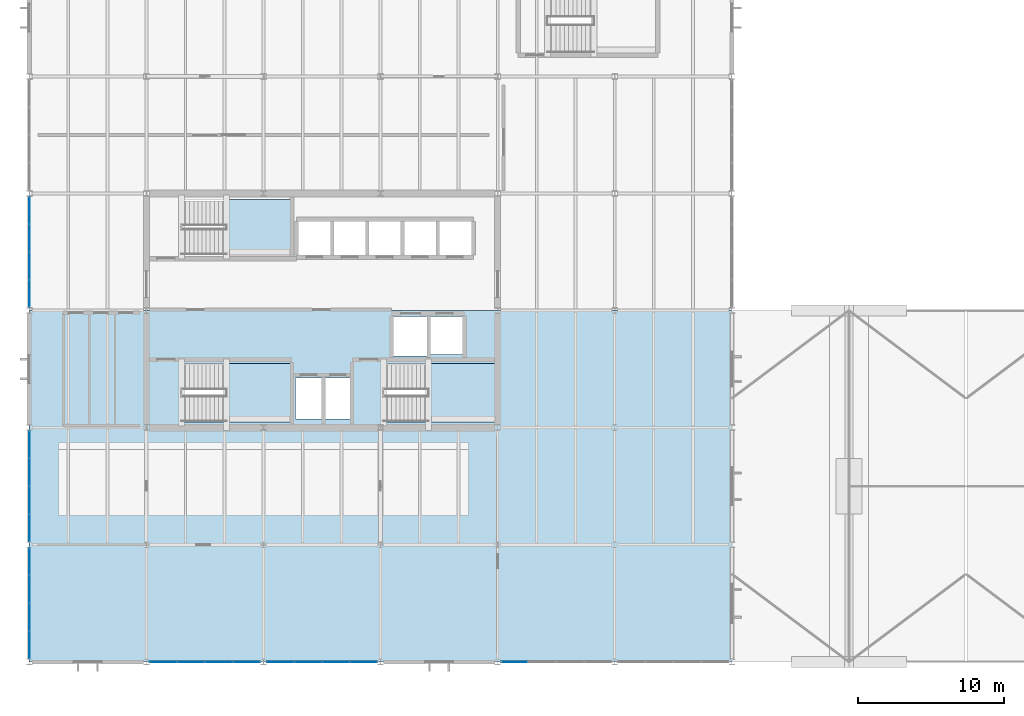
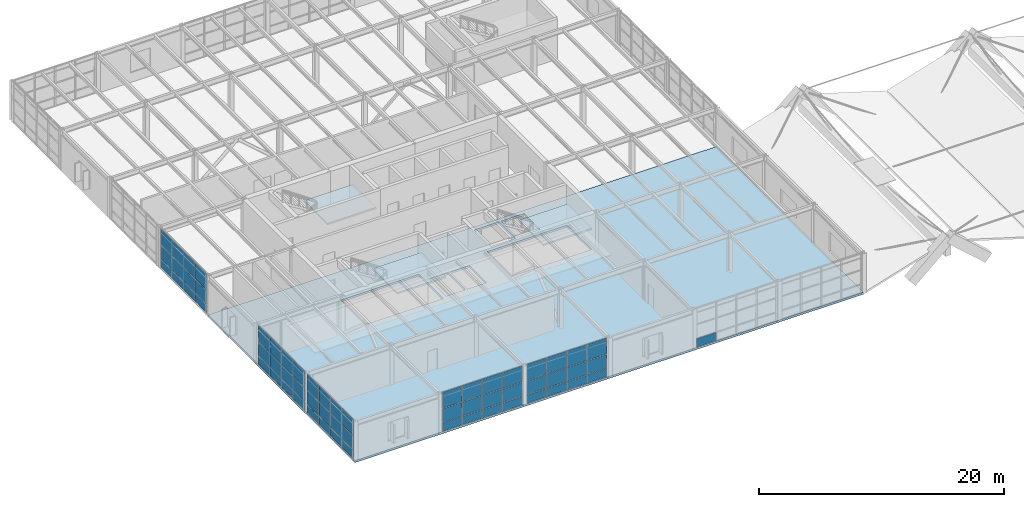
# One storey, part 31 of 50: 61 plates, 4 slabs, 9 elements without a shape of their own.
"""IFC4 building model written with IfcOpenShell, lengths in metres."""

from ifc_helpers import new_model, si_unit, direction, frame, origin, origin_2d, place, context, subcontext, project, spatial, polyline, rectangle, outline, extrude, material, layer, layer_set, type_object, element, aggregate, save


model = new_model("IFC4")

# Units and contexts
model_context = context("Model", 3, precision=1e-05, world=origin(), true_north=direction((0.0, 1.0)))
body_context = subcontext(model_context, "Body", "Model", "MODEL_VIEW")
ifc_project = project(units=[si_unit("LENGTHUNIT", "METRE"), si_unit("AREAUNIT", "SQUARE_METRE"), si_unit("VOLUMEUNIT", "CUBIC_METRE"), si_unit("PLANEANGLEUNIT", "RADIAN"), si_unit("MASSUNIT", "GRAM", prefix="KILO")], contexts=[model_context])

# Site, building, storey
site_placement = place(None, origin())
site = spatial("IfcSite", under=ifc_project, at=site_placement, CompositionType="ELEMENT")
building_placement = place(site_placement, origin())
building = spatial("IfcBuilding", under=site, at=building_placement, Name="Varnela Railside Interchange", CompositionType="ELEMENT")
storey_placement = place(building_placement, frame((0.0, 0.0, 15.39990234375)))
storey = spatial("IfcBuildingStorey", under=building, at=storey_placement, Name="L03", CompositionType="ELEMENT", Elevation=15.39990234375)

# Curtain wall, plate
ifc_material_1 = material(Name="Aluminium 6063-T6", Category="aluminium")
ifc_layer_1 = layer(ifc_material_1, 0.035888671875)
ifc_layer_set_1 = layer_set([ifc_layer_1], Name="Aluminium 6063-T6")
curtain_wall_type = type_object("IfcCurtainWallType", Name="Operations Wing Facade Curtain Wall CW-03", PredefinedType="USERDEFINED", material=ifc_layer_set_1)
curtain_wall_1_placement = place(storey_placement, origin())
curtain_wall_1 = element("IfcCurtainWall", 1, at=curtain_wall_1_placement, inside=storey, type_object=curtain_wall_type, Name="Curtain Wall CW-03 (L03) (CW-084)", ObjectType="CURTAIN WALL", PredefinedType="USERDEFINED")
ifc_material_2 = material(Name="Glass laminated double", Category="glass")
ifc_layer_2 = layer(ifc_material_2, 0.0400390625)
ifc_layer_set_2 = layer_set([ifc_layer_2], Name="Glass laminated double")
plate_type = type_object("IfcPlateType", Name="Acoustic Laminated Vision GL-03", PredefinedType="CURTAIN_PANEL", material=ifc_layer_set_2)
plate_1_placement = place(storey_placement, frame((37.15478515625, 38.0, 0.06005859375), z_axis=(0.0, 0.0, 1.0), x_axis=(-1.0, 0.0, 0.0)))
plate_1 = element("IfcPlate", 2, at=plate_1_placement, type_object=plate_type, Name="CW-03 panel 4.1", PredefinedType="CURTAIN_PANEL", context=body_context, shape_type="SweptSolid", body=[
    extrude(rectangle(XDim=1.816650390625, YDim=0.0400390625, at=origin_2d()), origin(), (0.0, 0.0, 1.0), 0.81005859375),
])
aggregate(curtain_wall_1, [plate_1])

# Curtain wall, plates
curtain_wall_2_placement = place(storey_placement, origin())
curtain_wall_2 = element("IfcCurtainWall", 3, at=curtain_wall_2_placement, inside=storey, type_object=curtain_wall_type, Name="Curtain Wall CW-03 (L03) (CW-094)", ObjectType="CURTAIN WALL", PredefinedType="USERDEFINED")
plate_2_placement = place(storey_placement, frame((26.84521484375, 38.0, 0.06005859375), z_axis=(0.0, 0.0, 1.0), x_axis=(-1.0, 0.0, 0.0)))
plate_2 = element("IfcPlate", 4, at=plate_2_placement, type_object=plate_type, Name="CW-03 panel 1.1", PredefinedType="CURTAIN_PANEL", context=body_context, shape_type="SweptSolid", body=[
    extrude(rectangle(XDim=1.816650390625, YDim=0.0400390625, at=origin_2d()), origin(), (0.0, 0.0, 1.0), 0.81005859375),
])
plate_3_placement = place(storey_placement, frame((26.84521484375, 38.0, 0.93017578125), z_axis=(0.0, 0.0, 1.0), x_axis=(-1.0, 0.0, 0.0)))
plate_3 = element("IfcPlate", 5, at=plate_3_placement, type_object=plate_type, Name="CW-03 panel 1.2", PredefinedType="CURTAIN_PANEL", context=body_context, shape_type="SweptSolid", body=[
    extrude(rectangle(XDim=1.816650390625, YDim=0.0400390625, at=origin_2d()), origin(), (0.0, 0.0, 1.0), 1.360107421875),
])
plate_4_placement = place(storey_placement, frame((26.84521484375, 38.0, 2.35009765625), z_axis=(0.0, 0.0, 1.0), x_axis=(-1.0, 0.0, 0.0)))
plate_4 = element("IfcPlate", 6, at=plate_4_placement, type_object=plate_type, Name="CW-03 panel 1.3", PredefinedType="CURTAIN_PANEL", context=body_context, shape_type="SweptSolid", body=[
    extrude(rectangle(XDim=1.816650390625, YDim=0.0400390625, at=origin_2d()), origin(), (0.0, 0.0, 1.0), 1.590087890625),
])
plate_5_placement = place(storey_placement, frame((24.953369140625, 38.0, 0.06005859375), z_axis=(0.0, 0.0, 1.0), x_axis=(-1.0, 0.0, 0.0)))
plate_5 = element("IfcPlate", 7, at=plate_5_placement, type_object=plate_type, Name="CW-03 panel 2.1", PredefinedType="CURTAIN_PANEL", context=body_context, shape_type="SweptSolid", body=[
    extrude(rectangle(XDim=1.8466796875, YDim=0.0400390625, at=origin_2d()), origin(), (0.0, 0.0, 1.0), 0.81005859375),
])
plate_6_placement = place(storey_placement, frame((24.953369140625, 38.0, 0.93017578125), z_axis=(0.0, 0.0, 1.0), x_axis=(-1.0, 0.0, 0.0)))
plate_6 = element("IfcPlate", 8, at=plate_6_placement, type_object=plate_type, Name="CW-03 panel 2.2", PredefinedType="CURTAIN_PANEL", context=body_context, shape_type="SweptSolid", body=[
    extrude(rectangle(XDim=1.8466796875, YDim=0.0400390625, at=origin_2d()), origin(), (0.0, 0.0, 1.0), 1.360107421875),
])
plate_7_placement = place(storey_placement, frame((24.953369140625, 38.0, 2.35009765625), z_axis=(0.0, 0.0, 1.0), x_axis=(-1.0, 0.0, 0.0)))
plate_7 = element("IfcPlate", 9, at=plate_7_placement, type_object=plate_type, Name="CW-03 panel 2.3", PredefinedType="CURTAIN_PANEL", context=body_context, shape_type="SweptSolid", body=[
    extrude(rectangle(XDim=1.8466796875, YDim=0.0400390625, at=origin_2d()), origin(), (0.0, 0.0, 1.0), 1.590087890625),
])
plate_8_placement = place(storey_placement, frame((23.046630859375, 38.0, 0.06005859375), z_axis=(0.0, 0.0, 1.0), x_axis=(-1.0, 0.0, 0.0)))
plate_8 = element("IfcPlate", 10, at=plate_8_placement, type_object=plate_type, Name="CW-03 panel 3.1", PredefinedType="CURTAIN_PANEL", context=body_context, shape_type="SweptSolid", body=[
    extrude(rectangle(XDim=1.8466796875, YDim=0.0400390625, at=origin_2d()), origin(), (0.0, 0.0, 1.0), 0.81005859375),
])
plate_9_placement = place(storey_placement, frame((23.046630859375, 38.0, 0.93017578125), z_axis=(0.0, 0.0, 1.0), x_axis=(-1.0, 0.0, 0.0)))
plate_9 = element("IfcPlate", 11, at=plate_9_placement, type_object=plate_type, Name="CW-03 panel 3.2", PredefinedType="CURTAIN_PANEL", context=body_context, shape_type="SweptSolid", body=[
    extrude(rectangle(XDim=1.8466796875, YDim=0.0400390625, at=origin_2d()), origin(), (0.0, 0.0, 1.0), 1.360107421875),
])
plate_10_placement = place(storey_placement, frame((23.046630859375, 38.0, 2.35009765625), z_axis=(0.0, 0.0, 1.0), x_axis=(-1.0, 0.0, 0.0)))
plate_10 = element("IfcPlate", 12, at=plate_10_placement, type_object=plate_type, Name="CW-03 panel 3.3", PredefinedType="CURTAIN_PANEL", context=body_context, shape_type="SweptSolid", body=[
    extrude(rectangle(XDim=1.8466796875, YDim=0.0400390625, at=origin_2d()), origin(), (0.0, 0.0, 1.0), 1.590087890625),
])
plate_11_placement = place(storey_placement, frame((21.15478515625, 38.0, 0.06005859375), z_axis=(0.0, 0.0, 1.0), x_axis=(-1.0, 0.0, 0.0)))
plate_11 = element("IfcPlate", 13, at=plate_11_placement, type_object=plate_type, Name="CW-03 panel 4.1", PredefinedType="CURTAIN_PANEL", context=body_context, shape_type="SweptSolid", body=[
    extrude(rectangle(XDim=1.816650390625, YDim=0.0400390625, at=origin_2d()), origin(), (0.0, 0.0, 1.0), 0.81005859375),
])
plate_12_placement = place(storey_placement, frame((21.15478515625, 38.0, 0.93017578125), z_axis=(0.0, 0.0, 1.0), x_axis=(-1.0, 0.0, 0.0)))
plate_12 = element("IfcPlate", 14, at=plate_12_placement, type_object=plate_type, Name="CW-03 panel 4.2", PredefinedType="CURTAIN_PANEL", context=body_context, shape_type="SweptSolid", body=[
    extrude(rectangle(XDim=1.816650390625, YDim=0.0400390625, at=origin_2d()), origin(), (0.0, 0.0, 1.0), 1.360107421875),
])
plate_13_placement = place(storey_placement, frame((21.15478515625, 38.0, 2.35009765625), z_axis=(0.0, 0.0, 1.0), x_axis=(-1.0, 0.0, 0.0)))
plate_13 = element("IfcPlate", 15, at=plate_13_placement, type_object=plate_type, Name="CW-03 panel 4.3", PredefinedType="CURTAIN_PANEL", context=body_context, shape_type="SweptSolid", body=[
    extrude(rectangle(XDim=1.816650390625, YDim=0.0400390625, at=origin_2d()), origin(), (0.0, 0.0, 1.0), 1.590087890625),
])
aggregate(curtain_wall_2, [plate_2, plate_3, plate_4, plate_5, plate_6, plate_7, plate_8, plate_9, plate_10, plate_11, plate_12, plate_13])

curtain_wall_3_placement = place(storey_placement, origin())
curtain_wall_3 = element("IfcCurtainWall", 16, at=curtain_wall_3_placement, inside=storey, type_object=curtain_wall_type, Name="Curtain Wall CW-03 (L03) (CW-099)", ObjectType="CURTAIN WALL", PredefinedType="USERDEFINED")
plate_14_placement = place(storey_placement, frame((18.84521484375, 38.0, 0.06005859375), z_axis=(0.0, 0.0, 1.0), x_axis=(-1.0, 0.0, 0.0)))
plate_14 = element("IfcPlate", 17, at=plate_14_placement, type_object=plate_type, Name="CW-03 panel 1.1", PredefinedType="CURTAIN_PANEL", context=body_context, shape_type="SweptSolid", body=[
    extrude(rectangle(XDim=1.816650390625, YDim=0.0400390625, at=origin_2d()), origin(), (0.0, 0.0, 1.0), 0.81005859375),
])
plate_15_placement = place(storey_placement, frame((18.84521484375, 38.0, 0.93017578125), z_axis=(0.0, 0.0, 1.0), x_axis=(-1.0, 0.0, 0.0)))
plate_15 = element("IfcPlate", 18, at=plate_15_placement, type_object=plate_type, Name="CW-03 panel 1.2", PredefinedType="CURTAIN_PANEL", context=body_context, shape_type="SweptSolid", body=[
    extrude(rectangle(XDim=1.816650390625, YDim=0.0400390625, at=origin_2d()), origin(), (0.0, 0.0, 1.0), 1.360107421875),
])
plate_16_placement = place(storey_placement, frame((18.84521484375, 38.0, 2.35009765625), z_axis=(0.0, 0.0, 1.0), x_axis=(-1.0, 0.0, 0.0)))
plate_16 = element("IfcPlate", 19, at=plate_16_placement, type_object=plate_type, Name="CW-03 panel 1.3", PredefinedType="CURTAIN_PANEL", context=body_context, shape_type="SweptSolid", body=[
    extrude(rectangle(XDim=1.816650390625, YDim=0.0400390625, at=origin_2d()), origin(), (0.0, 0.0, 1.0), 1.590087890625),
])
plate_17_placement = place(storey_placement, frame((16.953369140625, 38.0, 0.06005859375), z_axis=(0.0, 0.0, 1.0), x_axis=(-1.0, 0.0, 0.0)))
plate_17 = element("IfcPlate", 20, at=plate_17_placement, type_object=plate_type, Name="CW-03 panel 2.1", PredefinedType="CURTAIN_PANEL", context=body_context, shape_type="SweptSolid", body=[
    extrude(rectangle(XDim=1.8466796875, YDim=0.0400390625, at=origin_2d()), origin(), (0.0, 0.0, 1.0), 0.81005859375),
])
plate_18_placement = place(storey_placement, frame((16.953369140625, 38.0, 0.93017578125), z_axis=(0.0, 0.0, 1.0), x_axis=(-1.0, 0.0, 0.0)))
plate_18 = element("IfcPlate", 21, at=plate_18_placement, type_object=plate_type, Name="CW-03 panel 2.2", PredefinedType="CURTAIN_PANEL", context=body_context, shape_type="SweptSolid", body=[
    extrude(rectangle(XDim=1.8466796875, YDim=0.0400390625, at=origin_2d()), origin(), (0.0, 0.0, 1.0), 1.360107421875),
])
plate_19_placement = place(storey_placement, frame((16.953369140625, 38.0, 2.35009765625), z_axis=(0.0, 0.0, 1.0), x_axis=(-1.0, 0.0, 0.0)))
plate_19 = element("IfcPlate", 22, at=plate_19_placement, type_object=plate_type, Name="CW-03 panel 2.3", PredefinedType="CURTAIN_PANEL", context=body_context, shape_type="SweptSolid", body=[
    extrude(rectangle(XDim=1.8466796875, YDim=0.0400390625, at=origin_2d()), origin(), (0.0, 0.0, 1.0), 1.590087890625),
])
plate_20_placement = place(storey_placement, frame((15.046630859375, 38.0, 0.06005859375), z_axis=(0.0, 0.0, 1.0), x_axis=(-1.0, 0.0, 0.0)))
plate_20 = element("IfcPlate", 23, at=plate_20_placement, type_object=plate_type, Name="CW-03 panel 3.1", PredefinedType="CURTAIN_PANEL", context=body_context, shape_type="SweptSolid", body=[
    extrude(rectangle(XDim=1.8466796875, YDim=0.0400390625, at=origin_2d()), origin(), (0.0, 0.0, 1.0), 0.81005859375),
])
plate_21_placement = place(storey_placement, frame((15.046630859375, 38.0, 0.93017578125), z_axis=(0.0, 0.0, 1.0), x_axis=(-1.0, 0.0, 0.0)))
plate_21 = element("IfcPlate", 24, at=plate_21_placement, type_object=plate_type, Name="CW-03 panel 3.2", PredefinedType="CURTAIN_PANEL", context=body_context, shape_type="SweptSolid", body=[
    extrude(rectangle(XDim=1.8466796875, YDim=0.0400390625, at=origin_2d()), origin(), (0.0, 0.0, 1.0), 1.360107421875),
])
plate_22_placement = place(storey_placement, frame((15.046630859375, 38.0, 2.35009765625), z_axis=(0.0, 0.0, 1.0), x_axis=(-1.0, 0.0, 0.0)))
plate_22 = element("IfcPlate", 25, at=plate_22_placement, type_object=plate_type, Name="CW-03 panel 3.3", PredefinedType="CURTAIN_PANEL", context=body_context, shape_type="SweptSolid", body=[
    extrude(rectangle(XDim=1.8466796875, YDim=0.0400390625, at=origin_2d()), origin(), (0.0, 0.0, 1.0), 1.590087890625),
])
plate_23_placement = place(storey_placement, frame((13.15478515625, 38.0, 0.06005859375), z_axis=(0.0, 0.0, 1.0), x_axis=(-1.0, 0.0, 0.0)))
plate_23 = element("IfcPlate", 26, at=plate_23_placement, type_object=plate_type, Name="CW-03 panel 4.1", PredefinedType="CURTAIN_PANEL", context=body_context, shape_type="SweptSolid", body=[
    extrude(rectangle(XDim=1.816650390625, YDim=0.0400390625, at=origin_2d()), origin(), (0.0, 0.0, 1.0), 0.81005859375),
])
plate_24_placement = place(storey_placement, frame((13.15478515625, 38.0, 0.93017578125), z_axis=(0.0, 0.0, 1.0), x_axis=(-1.0, 0.0, 0.0)))
plate_24 = element("IfcPlate", 27, at=plate_24_placement, type_object=plate_type, Name="CW-03 panel 4.2", PredefinedType="CURTAIN_PANEL", context=body_context, shape_type="SweptSolid", body=[
    extrude(rectangle(XDim=1.816650390625, YDim=0.0400390625, at=origin_2d()), origin(), (0.0, 0.0, 1.0), 1.360107421875),
])
plate_25_placement = place(storey_placement, frame((13.15478515625, 38.0, 2.35009765625), z_axis=(0.0, 0.0, 1.0), x_axis=(-1.0, 0.0, 0.0)))
plate_25 = element("IfcPlate", 28, at=plate_25_placement, type_object=plate_type, Name="CW-03 panel 4.3", PredefinedType="CURTAIN_PANEL", context=body_context, shape_type="SweptSolid", body=[
    extrude(rectangle(XDim=1.816650390625, YDim=0.0400390625, at=origin_2d()), origin(), (0.0, 0.0, 1.0), 1.590087890625),
])
aggregate(curtain_wall_3, [plate_14, plate_15, plate_16, plate_17, plate_18, plate_19, plate_20, plate_21, plate_22, plate_23, plate_24, plate_25])

curtain_wall_4_placement = place(storey_placement, origin())
curtain_wall_4 = element("IfcCurtainWall", 29, at=curtain_wall_4_placement, inside=storey, type_object=curtain_wall_type, Name="Curtain Wall CW-03 (L03) (CW-100)", ObjectType="CURTAIN WALL", PredefinedType="USERDEFINED")
plate_26_placement = place(storey_placement, frame((4.0, 39.153076171875, 0.06005859375), z_axis=(0.0, 0.0, 1.0), x_axis=(0.0, 1.0, 0.0)))
plate_26 = element("IfcPlate", 30, at=plate_26_placement, type_object=plate_type, Name="CW-03 panel 1.1", PredefinedType="CURTAIN_PANEL", context=body_context, shape_type="SweptSolid", body=[
    extrude(rectangle(XDim=1.818115234375, YDim=0.0400390625, at=origin_2d()), origin(), (0.0, 0.0, 1.0), 0.81005859375),
])
plate_27_placement = place(storey_placement, frame((4.0, 39.153076171875, 0.93017578125), z_axis=(0.0, 0.0, 1.0), x_axis=(0.0, 1.0, 0.0)))
plate_27 = element("IfcPlate", 31, at=plate_27_placement, type_object=plate_type, Name="CW-03 panel 1.2", PredefinedType="CURTAIN_PANEL", context=body_context, shape_type="SweptSolid", body=[
    extrude(rectangle(XDim=1.818115234375, YDim=0.0400390625, at=origin_2d()), origin(), (0.0, 0.0, 1.0), 1.360107421875),
])
plate_28_placement = place(storey_placement, frame((4.0, 39.153076171875, 2.35009765625), z_axis=(0.0, 0.0, 1.0), x_axis=(0.0, 1.0, 0.0)))
plate_28 = element("IfcPlate", 32, at=plate_28_placement, type_object=plate_type, Name="CW-03 panel 1.3", PredefinedType="CURTAIN_PANEL", context=body_context, shape_type="SweptSolid", body=[
    extrude(rectangle(XDim=1.818115234375, YDim=0.0400390625, at=origin_2d()), origin(), (0.0, 0.0, 1.0), 1.590087890625),
])
plate_29_placement = place(storey_placement, frame((4.0, 41.0458984375, 0.06005859375), z_axis=(0.0, 0.0, 1.0), x_axis=(0.0, 1.0, 0.0)))
plate_29 = element("IfcPlate", 33, at=plate_29_placement, type_object=plate_type, Name="CW-03 panel 2.1", PredefinedType="CURTAIN_PANEL", context=body_context, shape_type="SweptSolid", body=[
    extrude(rectangle(XDim=1.847900390625, YDim=0.0400390625, at=origin_2d()), origin(), (0.0, 0.0, 1.0), 0.81005859375),
])
plate_30_placement = place(storey_placement, frame((4.0, 41.0458984375, 0.93017578125), z_axis=(0.0, 0.0, 1.0), x_axis=(0.0, 1.0, 0.0)))
plate_30 = element("IfcPlate", 34, at=plate_30_placement, type_object=plate_type, Name="CW-03 panel 2.2", PredefinedType="CURTAIN_PANEL", context=body_context, shape_type="SweptSolid", body=[
    extrude(rectangle(XDim=1.847900390625, YDim=0.0400390625, at=origin_2d()), origin(), (0.0, 0.0, 1.0), 1.360107421875),
])
plate_31_placement = place(storey_placement, frame((4.0, 41.0458984375, 2.35009765625), z_axis=(0.0, 0.0, 1.0), x_axis=(0.0, 1.0, 0.0)))
plate_31 = element("IfcPlate", 35, at=plate_31_placement, type_object=plate_type, Name="CW-03 panel 2.3", PredefinedType="CURTAIN_PANEL", context=body_context, shape_type="SweptSolid", body=[
    extrude(rectangle(XDim=1.847900390625, YDim=0.0400390625, at=origin_2d()), origin(), (0.0, 0.0, 1.0), 1.590087890625),
])
plate_32_placement = place(storey_placement, frame((4.0, 42.9541015625, 0.06005859375), z_axis=(0.0, 0.0, 1.0), x_axis=(0.0, 1.0, 0.0)))
plate_32 = element("IfcPlate", 36, at=plate_32_placement, type_object=plate_type, Name="CW-03 panel 3.1", PredefinedType="CURTAIN_PANEL", context=body_context, shape_type="SweptSolid", body=[
    extrude(rectangle(XDim=1.847900390625, YDim=0.0400390625, at=origin_2d()), origin(), (0.0, 0.0, 1.0), 0.81005859375),
])
plate_33_placement = place(storey_placement, frame((4.0, 42.9541015625, 0.93017578125), z_axis=(0.0, 0.0, 1.0), x_axis=(0.0, 1.0, 0.0)))
plate_33 = element("IfcPlate", 37, at=plate_33_placement, type_object=plate_type, Name="CW-03 panel 3.2", PredefinedType="CURTAIN_PANEL", context=body_context, shape_type="SweptSolid", body=[
    extrude(rectangle(XDim=1.847900390625, YDim=0.0400390625, at=origin_2d()), origin(), (0.0, 0.0, 1.0), 1.360107421875),
])
plate_34_placement = place(storey_placement, frame((4.0, 42.9541015625, 2.35009765625), z_axis=(0.0, 0.0, 1.0), x_axis=(0.0, 1.0, 0.0)))
plate_34 = element("IfcPlate", 38, at=plate_34_placement, type_object=plate_type, Name="CW-03 panel 3.3", PredefinedType="CURTAIN_PANEL", context=body_context, shape_type="SweptSolid", body=[
    extrude(rectangle(XDim=1.847900390625, YDim=0.0400390625, at=origin_2d()), origin(), (0.0, 0.0, 1.0), 1.590087890625),
])
plate_35_placement = place(storey_placement, frame((4.0, 44.846923828125, 0.06005859375), z_axis=(0.0, 0.0, 1.0), x_axis=(0.0, 1.0, 0.0)))
plate_35 = element("IfcPlate", 39, at=plate_35_placement, type_object=plate_type, Name="CW-03 panel 4.1", PredefinedType="CURTAIN_PANEL", context=body_context, shape_type="SweptSolid", body=[
    extrude(rectangle(XDim=1.818115234375, YDim=0.0400390625, at=origin_2d()), origin(), (0.0, 0.0, 1.0), 0.81005859375),
])
plate_36_placement = place(storey_placement, frame((4.0, 44.846923828125, 0.93017578125), z_axis=(0.0, 0.0, 1.0), x_axis=(0.0, 1.0, 0.0)))
plate_36 = element("IfcPlate", 40, at=plate_36_placement, type_object=plate_type, Name="CW-03 panel 4.2", PredefinedType="CURTAIN_PANEL", context=body_context, shape_type="SweptSolid", body=[
    extrude(rectangle(XDim=1.818115234375, YDim=0.0400390625, at=origin_2d()), origin(), (0.0, 0.0, 1.0), 1.360107421875),
])
plate_37_placement = place(storey_placement, frame((4.0, 44.846923828125, 2.35009765625), z_axis=(0.0, 0.0, 1.0), x_axis=(0.0, 1.0, 0.0)))
plate_37 = element("IfcPlate", 41, at=plate_37_placement, type_object=plate_type, Name="CW-03 panel 4.3", PredefinedType="CURTAIN_PANEL", context=body_context, shape_type="SweptSolid", body=[
    extrude(rectangle(XDim=1.818115234375, YDim=0.0400390625, at=origin_2d()), origin(), (0.0, 0.0, 1.0), 1.590087890625),
])
aggregate(curtain_wall_4, [plate_26, plate_27, plate_28, plate_29, plate_30, plate_31, plate_32, plate_33, plate_34, plate_35, plate_36, plate_37])

curtain_wall_5_placement = place(storey_placement, origin())
curtain_wall_5 = element("IfcCurtainWall", 42, at=curtain_wall_5_placement, inside=storey, type_object=curtain_wall_type, Name="Curtain Wall CW-03 (L03) (CW-101)", ObjectType="CURTAIN WALL", PredefinedType="USERDEFINED")
plate_38_placement = place(storey_placement, frame((4.0, 47.153076171875, 0.06005859375), z_axis=(0.0, 0.0, 1.0), x_axis=(0.0, 1.0, 0.0)))
plate_38 = element("IfcPlate", 43, at=plate_38_placement, type_object=plate_type, Name="CW-03 panel 1.1", PredefinedType="CURTAIN_PANEL", context=body_context, shape_type="SweptSolid", body=[
    extrude(rectangle(XDim=1.818115234375, YDim=0.0400390625, at=origin_2d()), origin(), (0.0, 0.0, 1.0), 0.81005859375),
])
plate_39_placement = place(storey_placement, frame((4.0, 47.153076171875, 0.93017578125), z_axis=(0.0, 0.0, 1.0), x_axis=(0.0, 1.0, 0.0)))
plate_39 = element("IfcPlate", 44, at=plate_39_placement, type_object=plate_type, Name="CW-03 panel 1.2", PredefinedType="CURTAIN_PANEL", context=body_context, shape_type="SweptSolid", body=[
    extrude(rectangle(XDim=1.818115234375, YDim=0.0400390625, at=origin_2d()), origin(), (0.0, 0.0, 1.0), 1.360107421875),
])
plate_40_placement = place(storey_placement, frame((4.0, 47.153076171875, 2.35009765625), z_axis=(0.0, 0.0, 1.0), x_axis=(0.0, 1.0, 0.0)))
plate_40 = element("IfcPlate", 45, at=plate_40_placement, type_object=plate_type, Name="CW-03 panel 1.3", PredefinedType="CURTAIN_PANEL", context=body_context, shape_type="SweptSolid", body=[
    extrude(rectangle(XDim=1.818115234375, YDim=0.0400390625, at=origin_2d()), origin(), (0.0, 0.0, 1.0), 1.590087890625),
])
plate_41_placement = place(storey_placement, frame((4.0, 49.0458984375, 0.06005859375), z_axis=(0.0, 0.0, 1.0), x_axis=(0.0, 1.0, 0.0)))
plate_41 = element("IfcPlate", 46, at=plate_41_placement, type_object=plate_type, Name="CW-03 panel 2.1", PredefinedType="CURTAIN_PANEL", context=body_context, shape_type="SweptSolid", body=[
    extrude(rectangle(XDim=1.847900390625, YDim=0.0400390625, at=origin_2d()), origin(), (0.0, 0.0, 1.0), 0.81005859375),
])
plate_42_placement = place(storey_placement, frame((4.0, 49.0458984375, 0.93017578125), z_axis=(0.0, 0.0, 1.0), x_axis=(0.0, 1.0, 0.0)))
plate_42 = element("IfcPlate", 47, at=plate_42_placement, type_object=plate_type, Name="CW-03 panel 2.2", PredefinedType="CURTAIN_PANEL", context=body_context, shape_type="SweptSolid", body=[
    extrude(rectangle(XDim=1.847900390625, YDim=0.0400390625, at=origin_2d()), origin(), (0.0, 0.0, 1.0), 1.360107421875),
])
plate_43_placement = place(storey_placement, frame((4.0, 49.0458984375, 2.35009765625), z_axis=(0.0, 0.0, 1.0), x_axis=(0.0, 1.0, 0.0)))
plate_43 = element("IfcPlate", 48, at=plate_43_placement, type_object=plate_type, Name="CW-03 panel 2.3", PredefinedType="CURTAIN_PANEL", context=body_context, shape_type="SweptSolid", body=[
    extrude(rectangle(XDim=1.847900390625, YDim=0.0400390625, at=origin_2d()), origin(), (0.0, 0.0, 1.0), 1.590087890625),
])
plate_44_placement = place(storey_placement, frame((4.0, 50.9541015625, 0.06005859375), z_axis=(0.0, 0.0, 1.0), x_axis=(0.0, 1.0, 0.0)))
plate_44 = element("IfcPlate", 49, at=plate_44_placement, type_object=plate_type, Name="CW-03 panel 3.1", PredefinedType="CURTAIN_PANEL", context=body_context, shape_type="SweptSolid", body=[
    extrude(rectangle(XDim=1.847900390625, YDim=0.0400390625, at=origin_2d()), origin(), (0.0, 0.0, 1.0), 0.81005859375),
])
plate_45_placement = place(storey_placement, frame((4.0, 50.9541015625, 0.93017578125), z_axis=(0.0, 0.0, 1.0), x_axis=(0.0, 1.0, 0.0)))
plate_45 = element("IfcPlate", 50, at=plate_45_placement, type_object=plate_type, Name="CW-03 panel 3.2", PredefinedType="CURTAIN_PANEL", context=body_context, shape_type="SweptSolid", body=[
    extrude(rectangle(XDim=1.847900390625, YDim=0.0400390625, at=origin_2d()), origin(), (0.0, 0.0, 1.0), 1.360107421875),
])
plate_46_placement = place(storey_placement, frame((4.0, 50.9541015625, 2.35009765625), z_axis=(0.0, 0.0, 1.0), x_axis=(0.0, 1.0, 0.0)))
plate_46 = element("IfcPlate", 51, at=plate_46_placement, type_object=plate_type, Name="CW-03 panel 3.3", PredefinedType="CURTAIN_PANEL", context=body_context, shape_type="SweptSolid", body=[
    extrude(rectangle(XDim=1.847900390625, YDim=0.0400390625, at=origin_2d()), origin(), (0.0, 0.0, 1.0), 1.590087890625),
])
plate_47_placement = place(storey_placement, frame((4.0, 52.846923828125, 0.06005859375), z_axis=(0.0, 0.0, 1.0), x_axis=(0.0, 1.0, 0.0)))
plate_47 = element("IfcPlate", 52, at=plate_47_placement, type_object=plate_type, Name="CW-03 panel 4.1", PredefinedType="CURTAIN_PANEL", context=body_context, shape_type="SweptSolid", body=[
    extrude(rectangle(XDim=1.818115234375, YDim=0.0400390625, at=origin_2d()), origin(), (0.0, 0.0, 1.0), 0.81005859375),
])
plate_48_placement = place(storey_placement, frame((4.0, 52.846923828125, 0.93017578125), z_axis=(0.0, 0.0, 1.0), x_axis=(0.0, 1.0, 0.0)))
plate_48 = element("IfcPlate", 53, at=plate_48_placement, type_object=plate_type, Name="CW-03 panel 4.2", PredefinedType="CURTAIN_PANEL", context=body_context, shape_type="SweptSolid", body=[
    extrude(rectangle(XDim=1.818115234375, YDim=0.0400390625, at=origin_2d()), origin(), (0.0, 0.0, 1.0), 1.360107421875),
])
plate_49_placement = place(storey_placement, frame((4.0, 52.846923828125, 2.35009765625), z_axis=(0.0, 0.0, 1.0), x_axis=(0.0, 1.0, 0.0)))
plate_49 = element("IfcPlate", 54, at=plate_49_placement, type_object=plate_type, Name="CW-03 panel 4.3", PredefinedType="CURTAIN_PANEL", context=body_context, shape_type="SweptSolid", body=[
    extrude(rectangle(XDim=1.818115234375, YDim=0.0400390625, at=origin_2d()), origin(), (0.0, 0.0, 1.0), 1.590087890625),
])
aggregate(curtain_wall_5, [plate_38, plate_39, plate_40, plate_41, plate_42, plate_43, plate_44, plate_45, plate_46, plate_47, plate_48, plate_49])

curtain_wall_6_placement = place(storey_placement, origin())
curtain_wall_6 = element("IfcCurtainWall", 55, at=curtain_wall_6_placement, inside=storey, type_object=curtain_wall_type, Name="Curtain Wall CW-03 (L03) (CW-077)", ObjectType="CURTAIN WALL", PredefinedType="USERDEFINED")
plate_50_placement = place(storey_placement, frame((4.0, 63.153076171875, 0.06005859375), z_axis=(0.0, 0.0, 1.0), x_axis=(0.0, 1.0, 0.0)))
plate_50 = element("IfcPlate", 56, at=plate_50_placement, type_object=plate_type, Name="CW-03 panel 1.1", PredefinedType="CURTAIN_PANEL", context=body_context, shape_type="SweptSolid", body=[
    extrude(rectangle(XDim=1.818115234375, YDim=0.0400390625, at=origin_2d()), origin(), (0.0, 0.0, 1.0), 0.81005859375),
])
plate_51_placement = place(storey_placement, frame((4.0, 63.153076171875, 0.93017578125), z_axis=(0.0, 0.0, 1.0), x_axis=(0.0, 1.0, 0.0)))
plate_51 = element("IfcPlate", 57, at=plate_51_placement, type_object=plate_type, Name="CW-03 panel 1.2", PredefinedType="CURTAIN_PANEL", context=body_context, shape_type="SweptSolid", body=[
    extrude(rectangle(XDim=1.818115234375, YDim=0.0400390625, at=origin_2d()), origin(), (0.0, 0.0, 1.0), 1.360107421875),
])
plate_52_placement = place(storey_placement, frame((4.0, 63.153076171875, 2.35009765625), z_axis=(0.0, 0.0, 1.0), x_axis=(0.0, 1.0, 0.0)))
plate_52 = element("IfcPlate", 58, at=plate_52_placement, type_object=plate_type, Name="CW-03 panel 1.3", PredefinedType="CURTAIN_PANEL", context=body_context, shape_type="SweptSolid", body=[
    extrude(rectangle(XDim=1.818115234375, YDim=0.0400390625, at=origin_2d()), origin(), (0.0, 0.0, 1.0), 1.590087890625),
])
plate_53_placement = place(storey_placement, frame((4.0, 65.0458984375, 0.06005859375), z_axis=(0.0, 0.0, 1.0), x_axis=(0.0, 1.0, 0.0)))
plate_53 = element("IfcPlate", 59, at=plate_53_placement, type_object=plate_type, Name="CW-03 panel 2.1", PredefinedType="CURTAIN_PANEL", context=body_context, shape_type="SweptSolid", body=[
    extrude(rectangle(XDim=1.847900390625, YDim=0.0400390625, at=origin_2d()), origin(), (0.0, 0.0, 1.0), 0.81005859375),
])
plate_54_placement = place(storey_placement, frame((4.0, 65.0458984375, 0.93017578125), z_axis=(0.0, 0.0, 1.0), x_axis=(0.0, 1.0, 0.0)))
plate_54 = element("IfcPlate", 60, at=plate_54_placement, type_object=plate_type, Name="CW-03 panel 2.2", PredefinedType="CURTAIN_PANEL", context=body_context, shape_type="SweptSolid", body=[
    extrude(rectangle(XDim=1.847900390625, YDim=0.0400390625, at=origin_2d()), origin(), (0.0, 0.0, 1.0), 1.360107421875),
])
plate_55_placement = place(storey_placement, frame((4.0, 65.0458984375, 2.35009765625), z_axis=(0.0, 0.0, 1.0), x_axis=(0.0, 1.0, 0.0)))
plate_55 = element("IfcPlate", 61, at=plate_55_placement, type_object=plate_type, Name="CW-03 panel 2.3", PredefinedType="CURTAIN_PANEL", context=body_context, shape_type="SweptSolid", body=[
    extrude(rectangle(XDim=1.847900390625, YDim=0.0400390625, at=origin_2d()), origin(), (0.0, 0.0, 1.0), 1.590087890625),
])
plate_56_placement = place(storey_placement, frame((4.0, 66.9541015625, 0.06005859375), z_axis=(0.0, 0.0, 1.0), x_axis=(0.0, 1.0, 0.0)))
plate_56 = element("IfcPlate", 62, at=plate_56_placement, type_object=plate_type, Name="CW-03 panel 3.1", PredefinedType="CURTAIN_PANEL", context=body_context, shape_type="SweptSolid", body=[
    extrude(rectangle(XDim=1.847900390625, YDim=0.0400390625, at=origin_2d()), origin(), (0.0, 0.0, 1.0), 0.81005859375),
])
plate_57_placement = place(storey_placement, frame((4.0, 66.9541015625, 0.93017578125), z_axis=(0.0, 0.0, 1.0), x_axis=(0.0, 1.0, 0.0)))
plate_57 = element("IfcPlate", 63, at=plate_57_placement, type_object=plate_type, Name="CW-03 panel 3.2", PredefinedType="CURTAIN_PANEL", context=body_context, shape_type="SweptSolid", body=[
    extrude(rectangle(XDim=1.847900390625, YDim=0.0400390625, at=origin_2d()), origin(), (0.0, 0.0, 1.0), 1.360107421875),
])
plate_58_placement = place(storey_placement, frame((4.0, 66.9541015625, 2.35009765625), z_axis=(0.0, 0.0, 1.0), x_axis=(0.0, 1.0, 0.0)))
plate_58 = element("IfcPlate", 64, at=plate_58_placement, type_object=plate_type, Name="CW-03 panel 3.3", PredefinedType="CURTAIN_PANEL", context=body_context, shape_type="SweptSolid", body=[
    extrude(rectangle(XDim=1.847900390625, YDim=0.0400390625, at=origin_2d()), origin(), (0.0, 0.0, 1.0), 1.590087890625),
])
plate_59_placement = place(storey_placement, frame((4.0, 68.846923828125, 0.06005859375), z_axis=(0.0, 0.0, 1.0), x_axis=(0.0, 1.0, 0.0)))
plate_59 = element("IfcPlate", 65, at=plate_59_placement, type_object=plate_type, Name="CW-03 panel 4.1", PredefinedType="CURTAIN_PANEL", context=body_context, shape_type="SweptSolid", body=[
    extrude(rectangle(XDim=1.818115234375, YDim=0.0400390625, at=origin_2d()), origin(), (0.0, 0.0, 1.0), 0.81005859375),
])
plate_60_placement = place(storey_placement, frame((4.0, 68.846923828125, 0.93017578125), z_axis=(0.0, 0.0, 1.0), x_axis=(0.0, 1.0, 0.0)))
plate_60 = element("IfcPlate", 66, at=plate_60_placement, type_object=plate_type, Name="CW-03 panel 4.2", PredefinedType="CURTAIN_PANEL", context=body_context, shape_type="SweptSolid", body=[
    extrude(rectangle(XDim=1.818115234375, YDim=0.0400390625, at=origin_2d()), origin(), (0.0, 0.0, 1.0), 1.360107421875),
])
plate_61_placement = place(storey_placement, frame((4.0, 68.846923828125, 2.35009765625), z_axis=(0.0, 0.0, 1.0), x_axis=(0.0, 1.0, 0.0)))
plate_61 = element("IfcPlate", 67, at=plate_61_placement, type_object=plate_type, Name="CW-03 panel 4.3", PredefinedType="CURTAIN_PANEL", context=body_context, shape_type="SweptSolid", body=[
    extrude(rectangle(XDim=1.818115234375, YDim=0.0400390625, at=origin_2d()), origin(), (0.0, 0.0, 1.0), 1.590087890625),
])
aggregate(curtain_wall_6, [plate_50, plate_51, plate_52, plate_53, plate_54, plate_55, plate_56, plate_57, plate_58, plate_59, plate_60, plate_61])

# Slab
ifc_material_3 = material(Name="Concrete C40", Category="concrete")
ifc_layer_3 = layer(ifc_material_3, 0.199951171875)
ifc_layer_set_3 = layer_set([ifc_layer_3], Name="Concrete C40")
slab_type_1 = type_object("IfcSlabType", Name="Library & Canteen Composite Slab SL-200A", PredefinedType="FLOOR", material=ifc_layer_set_3)
slab_1_placement = place(storey_placement, frame((0.0, 0.0, -0.199951171875)))
element("IfcSlab", 68, at=slab_1_placement, inside=storey, type_object=slab_type_1, Name="Library & Canteen Composite Slab SL-200A (L03) (SL-0161)", PredefinedType="FLOOR", context=body_context, shape_type="SweptSolid", body=[
    extrude(outline(polyline([(4.0, 38.0), (52.0, 38.0), (52.0, 62.0), (4.0, 62.0), (4.0, 38.0)]), holes=[polyline([(14.429931640625, 54.39990234375), (21.800048828125, 54.39990234375), (21.800048828125, 58.39990234375), (14.429931640625, 58.39990234375), (14.429931640625, 54.39990234375)]), polyline([(28.22998046875, 54.39990234375), (35.800048828125, 54.39990234375), (35.800048828125, 58.39990234375), (28.22998046875, 58.39990234375), (28.22998046875, 54.39990234375)]), polyline([(22.199951171875, 54.60009765625), (24.0, 54.60009765625), (24.0, 57.39990234375), (22.199951171875, 57.39990234375), (22.199951171875, 54.60009765625)]), polyline([(24.199951171875, 54.60009765625), (26.0, 54.60009765625), (26.0, 57.39990234375), (24.199951171875, 57.39990234375), (24.199951171875, 54.60009765625)]), polyline([(31.39990234375, 59.0), (33.60009765625, 59.0), (33.60009765625, 61.60009765625), (31.39990234375, 61.60009765625), (31.39990234375, 59.0)]), polyline([(28.89990234375, 58.89990234375), (31.199951171875, 58.89990234375), (31.199951171875, 61.60009765625), (28.89990234375, 61.60009765625), (28.89990234375, 58.89990234375)])]), origin(), (0.0, 0.0, 1.0), 0.199951171875),
])

# Stair, slab
stair_type = type_object("IfcStairType", Name="Core Pressurized Stair ST-165", PredefinedType="TWO_STRAIGHT_RUN_STAIR", material=ifc_material_3)
stair_1_placement = place(storey_placement, origin())
stair_1 = element("IfcStair", 69, at=stair_1_placement, inside=storey, type_object=stair_type, Name="Stair ST-T1 (L03) (SF-181)", PredefinedType="TWO_STRAIGHT_RUN_STAIR")
ifc_layer_4 = layer(ifc_material_3, 0.159912109375)
ifc_layer_set_4 = layer_set([ifc_layer_4], Name="Concrete C40")
slab_type_2 = type_object("IfcSlabType", Name="Stair Half-Landing Slab SL-LD", PredefinedType="LANDING", material=ifc_layer_set_4)
slab_2_placement = place(storey_placement, frame((0.0, 0.0, 1.940185546875)))
slab_2 = element("IfcSlab", 70, at=slab_2_placement, type_object=slab_type_2, Name="ST-T1 landing 1 (SL-0176)", PredefinedType="LANDING", context=body_context, shape_type="SweptSolid", body=[
    extrude(outline(polyline([(17.449951171875, 54.39990234375), (22.06005859375, 54.39990234375), (22.06005859375, 58.39990234375), (17.449951171875, 58.39990234375), (17.449951171875, 54.39990234375)])), origin(), (0.0, 0.0, 1.0), 0.159912109375),
])
aggregate(stair_1, [slab_2])

stair_2_placement = place(storey_placement, origin())
stair_2 = element("IfcStair", 71, at=stair_2_placement, inside=storey, type_object=stair_type, Name="Stair ST-T2 (L03) (SF-184)", PredefinedType="TWO_STRAIGHT_RUN_STAIR")
slab_3_placement = place(storey_placement, frame((0.0, 0.0, 1.940185546875)))
slab_3 = element("IfcSlab", 72, at=slab_3_placement, type_object=slab_type_2, Name="ST-T2 landing 1 (SL-0177)", PredefinedType="LANDING", context=body_context, shape_type="SweptSolid", body=[
    extrude(outline(polyline([(31.25, 54.39990234375), (35.860107421875, 54.39990234375), (35.860107421875, 58.39990234375), (31.25, 58.39990234375), (31.25, 54.39990234375)])), origin(), (0.0, 0.0, 1.0), 0.159912109375),
])
aggregate(stair_2, [slab_3])

stair_3_placement = place(storey_placement, origin())
stair_3 = element("IfcStair", 73, at=stair_3_placement, inside=storey, type_object=stair_type, Name="Stair ST-T3 (L03) (SF-187)", PredefinedType="TWO_STRAIGHT_RUN_STAIR")
slab_4_placement = place(storey_placement, frame((0.0, 0.0, 1.940185546875)))
slab_4 = element("IfcSlab", 74, at=slab_4_placement, type_object=slab_type_2, Name="ST-T3 landing 1 (SL-0178)", PredefinedType="LANDING", context=body_context, shape_type="SweptSolid", body=[
    extrude(outline(polyline([(17.449951171875, 65.800048828125), (22.06005859375, 65.800048828125), (22.06005859375, 69.60009765625), (17.449951171875, 69.60009765625), (17.449951171875, 65.800048828125)])), origin(), (0.0, 0.0, 1.0), 0.159912109375),
])
aggregate(stair_3, [slab_4])

save(model, "model.ifc")
